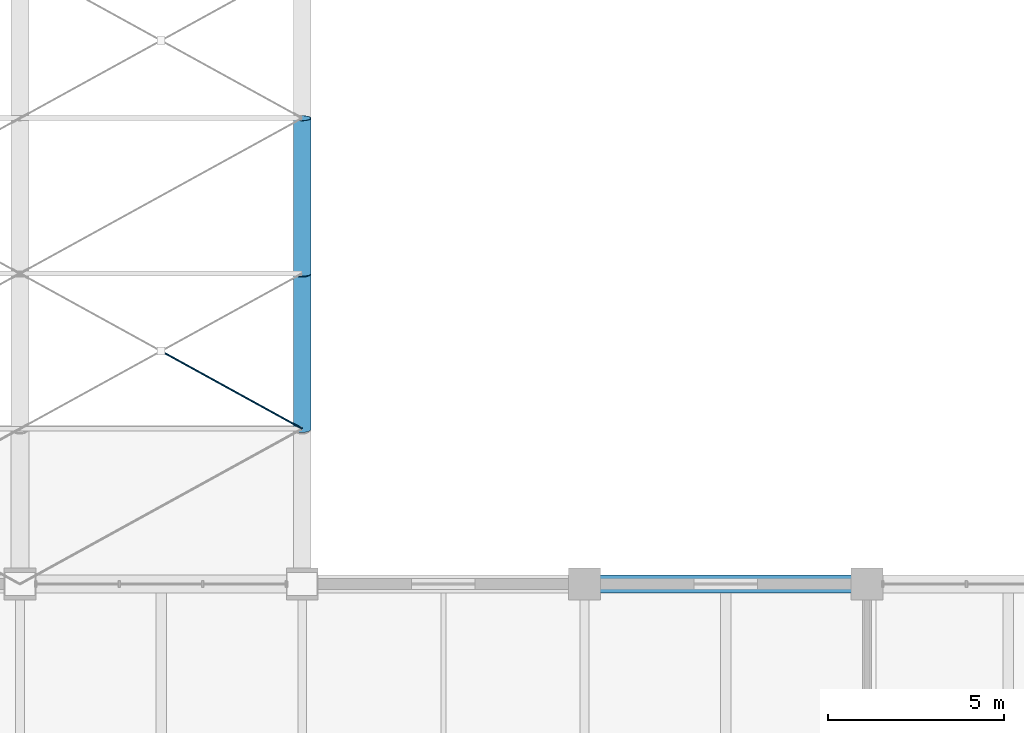
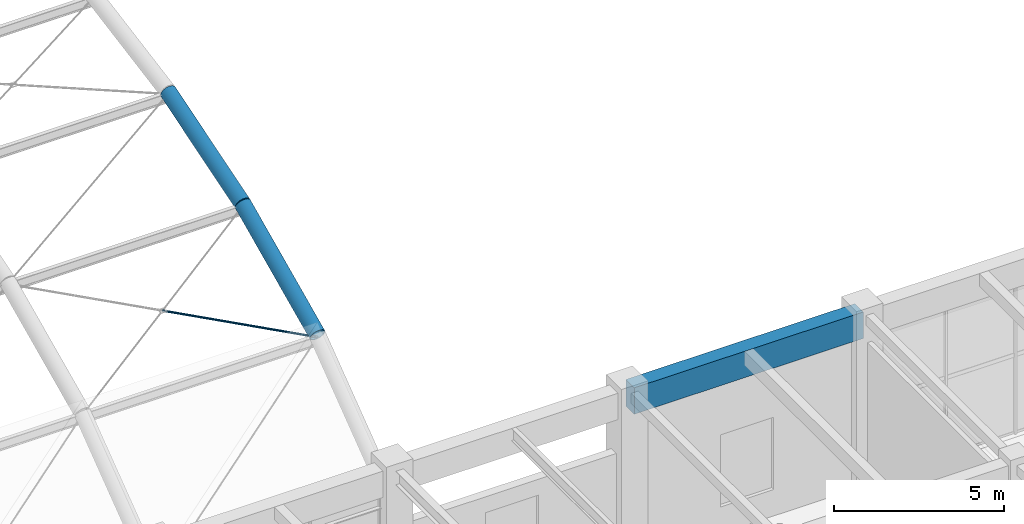
# One storey, part 100 of 163: 3 beams, 1 member.
"""IFC4 building model written with IfcOpenShell, lengths in metres."""

from ifc_helpers import new_model, si_unit, direction, frame, origin, origin_2d, place, context, subcontext, project, spatial, rectangle, circle, hollow_circle, extrude, material, material_profile, profile_set, type_object, element, save


model = new_model("IFC4")

# Units and contexts
model_context = context("Model", 3, precision=1e-05, world=origin(), true_north=direction((0.0, 1.0)))
body_context = subcontext(model_context, "Body", "Model", "MODEL_VIEW")
ifc_project = project(units=[si_unit("LENGTHUNIT", "METRE"), si_unit("AREAUNIT", "SQUARE_METRE"), si_unit("VOLUMEUNIT", "CUBIC_METRE"), si_unit("PLANEANGLEUNIT", "RADIAN"), si_unit("MASSUNIT", "GRAM", prefix="KILO")], contexts=[model_context])

# Site, building, storey
site_placement = place(None, origin())
site = spatial("IfcSite", under=ifc_project, at=site_placement, CompositionType="ELEMENT")
building_placement = place(site_placement, origin())
building = spatial("IfcBuilding", under=site, at=building_placement, Name="Varnabhumi Central Station", CompositionType="ELEMENT")
storey_placement = place(building_placement, frame((0.0, 0.0, 9.60009765625)))
storey = spatial("IfcBuildingStorey", under=building, at=storey_placement, Name="L02", CompositionType="ELEMENT", Elevation=9.60009765625)

# Beams
ifc_material_1 = material(Name="Structural steel E350", Category="steel")
ifc_material_profile_1 = material_profile(ifc_material_1, hollow_circle(Radius=0.25390625, WallThickness=0.02001953125, at=origin_2d()), Name="Structural steel E350", Category="steel")
ifc_profile_set_1 = profile_set([ifc_material_profile_1], Name="Structural steel E350")
beam_type_1 = type_object("IfcBeamType", Name="BM-ARCH-CHS508", PredefinedType="BEAM", material=ifc_profile_set_1)
beam_1_placement = place(storey_placement, frame((136.0, 40.39990234375, 8.270751953125), z_axis=(0.0, 0.906832494276, 0.421491194837), x_axis=(-1.0, 0.0, 0.0)))
element("IfcBeam", 1, at=beam_1_placement, inside=storey, type_object=beam_type_1, Name="Departure Concourse Vault Arch Rib 9 Seg 2", PredefinedType="BEAM", context=body_context, shape_type="SweptSolid", body=[
    extrude(hollow_circle(Radius=0.25390625, WallThickness=0.02001953125, at=origin_2d()), origin(), (0.0, 0.0, 1.0), 4.852294921875),
])
beam_2_placement = place(storey_placement, frame((136.0, 44.800048828125, 10.31591796875), z_axis=(0.0, 0.954719095828, 0.29750873611), x_axis=(-1.0, 0.0, 0.0)))
element("IfcBeam", 2, at=beam_2_placement, inside=storey, type_object=beam_type_1, Name="Departure Concourse Vault Arch Rib 9 Seg 3", PredefinedType="BEAM", context=body_context, shape_type="SweptSolid", body=[
    extrude(hollow_circle(Radius=0.25390625, WallThickness=0.02001953125, at=origin_2d()), origin(), (0.0, 0.0, 1.0), 4.608642578125),
])
ifc_material_2 = material(Name="Concrete M40", Category="concrete")
ifc_material_profile_2 = material_profile(ifc_material_2, rectangle(XDim=0.5, YDim=0.949951171875, at=origin_2d()), Name="Concrete M40", Category="concrete")
ifc_profile_set_2 = profile_set([ifc_material_profile_2], Name="Concrete M40")
beam_type_2 = type_object("IfcBeamType", Name="BM-RC-950x500", PredefinedType="BEAM", material=ifc_profile_set_2)
beam_3_placement = place(storey_placement, frame((144.10009765625, 36.0, 5.875), z_axis=(1.0, 0.0, 0.0), x_axis=(0.0, 1.0, 0.0)))
element("IfcBeam", 3, at=beam_3_placement, inside=storey, type_object=beam_type_2, Name="Beam L02-E:19-20", PredefinedType="BEAM", context=body_context, shape_type="SweptSolid", body=[
    extrude(rectangle(XDim=0.5, YDim=0.949951171875, at=origin_2d()), origin(), (0.0, 0.0, 1.0), 7.7998046875),
])

# Member
ifc_material_3 = material(Name="Spiral-strand steel S1570", Category="steel")
ifc_material_profile_3 = material_profile(ifc_material_3, circle(Radius=0.027099609375, at=origin_2d()), Name="Spiral-strand steel S1570", Category="steel")
ifc_profile_set_3 = profile_set([ifc_material_profile_3], Name="Spiral-strand steel S1570")
member_type = type_object("IfcMemberType", Name="MBR-CABLE-D54", PredefinedType="USERDEFINED", material=ifc_profile_set_3)
member_placement = place(storey_placement, frame((132.0, 42.60009765625, 9.21337890625), z_axis=(0.855015442154, -0.470300241986, -0.218554972641), x_axis=(0.481951596342, 0.876197842262, 0.0)))
element("IfcMember", 4, at=member_placement, inside=storey, type_object=member_type, Name="Departure Concourse Vault Cable-Net Split Tie B8-P2B2", ObjectType="TENSION CABLE", PredefinedType="USERDEFINED", context=body_context, shape_type="SweptSolid", body=[
    extrude(circle(Radius=0.027099609375, at=origin_2d()), origin(), (0.0, 0.0, 1.0), 4.67822265625),
])

save(model, "model.ifc")
